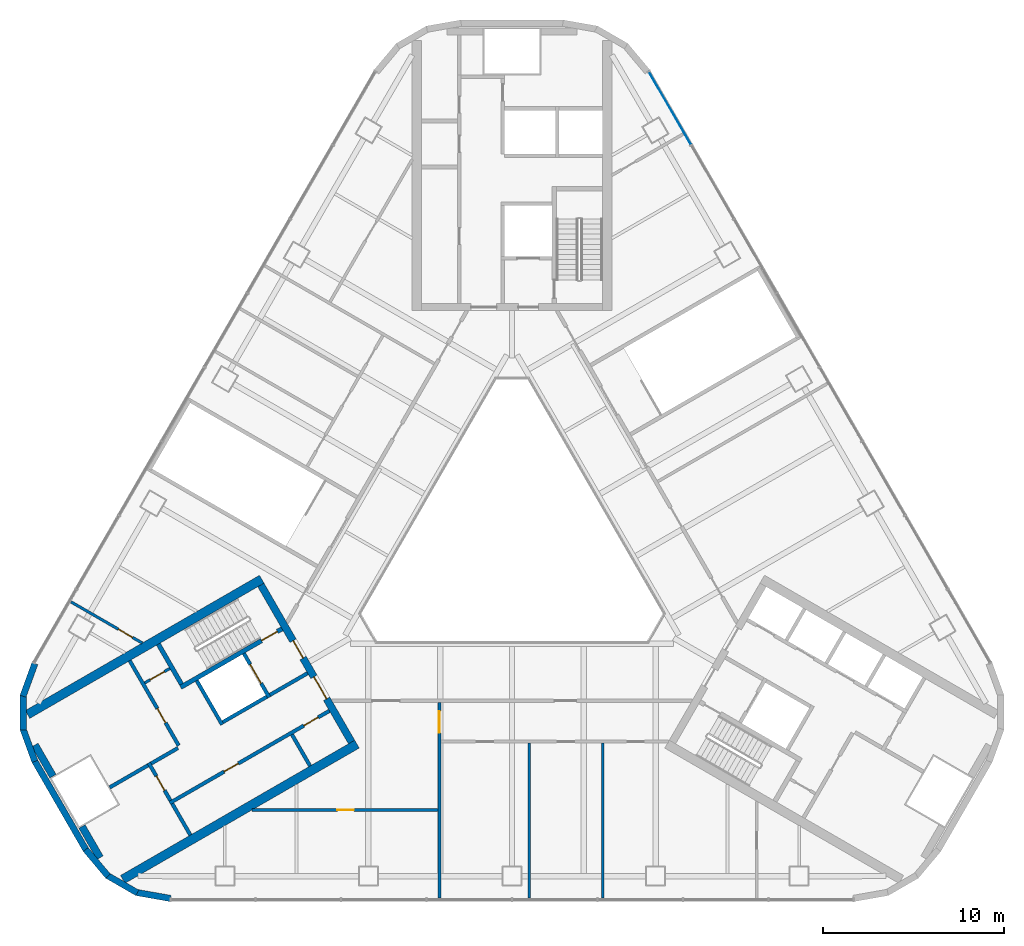
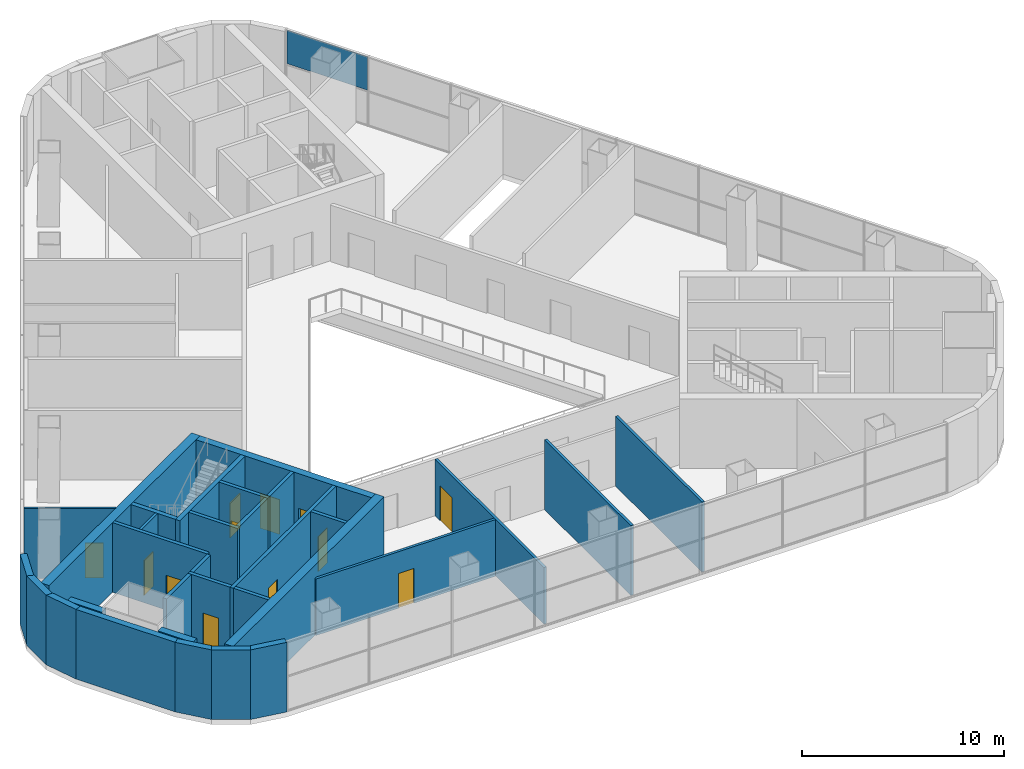
# One storey, part 7 of 12: 31 walls, 12 doors, 1 plate, 12 openings, 1 element without a shape of its own.
"""IFC4 building model written with IfcOpenShell, lengths in metres."""

from ifc_helpers import new_model, si_unit, direction, frame, frame_2d, origin, origin_2d, place, context, subcontext, project, spatial, rectangle, extrude, material, layer, layer_set, type_object, element, fill, aggregate, save


model = new_model("IFC4")

# Units and contexts
model_context = context("Model", 3, precision=1e-05, world=origin(), true_north=direction((0.0, 1.0)))
body_context = subcontext(model_context, "Body", "Model", "MODEL_VIEW")
ifc_project = project(units=[si_unit("LENGTHUNIT", "METRE"), si_unit("AREAUNIT", "SQUARE_METRE"), si_unit("VOLUMEUNIT", "CUBIC_METRE"), si_unit("PLANEANGLEUNIT", "RADIAN"), si_unit("MASSUNIT", "GRAM", prefix="KILO")], contexts=[model_context])

# Site, building, storey
site_placement = place(None, origin())
site = spatial("IfcSite", under=ifc_project, at=site_placement, CompositionType="ELEMENT")
building_placement = place(site_placement, origin())
building = spatial("IfcBuilding", under=site, at=building_placement, Name="Apuvela Tower Hotel", CompositionType="ELEMENT")
storey_placement = place(building_placement, frame((0.0, 0.0, 33.0)))
storey = spatial("IfcBuildingStorey", under=building, at=storey_placement, Name="L05", CompositionType="ELEMENT", Elevation=33.0)

# Curtain wall, plate
ifc_material_1 = material(Name="Aluminium 6063-T6, dark bronze anodised", Category="aluminium")
ifc_layer_1 = layer(ifc_material_1, 0.199951171875)
ifc_layer_set_1 = layer_set([ifc_layer_1], Name="ENV-CW-P")
curtain_wall_type = type_object("IfcCurtainWallType", Name="ENV-CW-P", PredefinedType="NOTDEFINED", material=ifc_layer_set_1)
curtain_wall_placement = place(storey_placement, origin())
curtain_wall = element("IfcCurtainWall", 1, at=curtain_wall_placement, inside=storey, type_object=curtain_wall_type, Name="Curtain wall CW-P NE L05", PredefinedType="NOTDEFINED")
ifc_material_2 = material(Name="Glass, dark tinted laminated insulated glazing unit", Category="glass")
ifc_layer_2 = layer(ifc_material_2, 0.0400390625)
ifc_layer_set_2 = layer_set([ifc_layer_2], Name="ENV-PANEL-IGU-40")
plate_type = type_object("IfcPlateType", Name="ENV-PANEL-IGU-40", PredefinedType="CURTAIN_PANEL", material=ifc_layer_set_2)
plate_placement = place(storey_placement, frame((8.710205078125, 24.065673828125, 2.132568359375), z_axis=(0.0, 0.0, 1.0), x_axis=(-0.499999750104, 0.866025548062, 0.0)))
plate = element("IfcPlate", 2, at=plate_placement, type_object=plate_type, Name="CW-P panel 8.2", PredefinedType="CURTAIN_PANEL", context=body_context, shape_type="SweptSolid", body=[
    extrude(rectangle(XDim=4.617431640625, YDim=0.0400390625, at=origin_2d()), origin(), (0.0, 0.0, 1.0), 2.00244140625),
])
aggregate(curtain_wall, [plate])

# Wall, openings, doors
ifc_material_3 = material(Name="Concrete C50/60", Category="concrete")
ifc_layer_3 = layer(ifc_material_3, 0.39990234375)
ifc_layer_set_3 = layer_set([ifc_layer_3], Name="COR-WALL-CORE-400")
wall_type_1 = type_object("IfcWallType", Name="COR-WALL-CORE-400", PredefinedType="SHEAR", material=ifc_layer_set_3)
wall_1_placement = place(storey_placement, frame((-13.844970703125, -2.219970703125, 0.0), z_axis=(0.0, 0.0, 1.0), x_axis=(0.500004234368, -0.866022959057, 0.0)))
wall_1 = element("IfcWall", 3, at=wall_1_placement, inside=storey, type_object=wall_type_1, Name="Core wall SW", PredefinedType="SHEAR", context=body_context, shape_type="SweptSolid", body=[
    extrude(rectangle(XDim=10.0, YDim=0.39990234375, at=frame_2d((5.0, 0.0))), origin(), (0.0, 0.0, 1.0), 4.199951171875),
])
opening_1_placement = place(wall_1_placement, frame((3.550048828125, 0.0, 0.0)))
opening_1 = element("IfcOpeningElement", 4, at=opening_1_placement, cuts=wall_1, Name="Opening W-FD", PredefinedType="OPENING", context=body_context, shape_type="SweptSolid", body=[
    extrude(rectangle(XDim=1.10009765625, YDim=2.10009765625, at=frame_2d((0.550048828125, 1.050048828125))), frame((0.0, 0.2099609375, 0.0), z_axis=(0.0, -1.0, 0.0), x_axis=(1.0, 0.0, 0.0)), (0.0, 0.0, 1.0), 0.419921875),
])
opening_2_placement = place(wall_1_placement, frame((5.85009765625, 0.0, 0.0)))
opening_2 = element("IfcOpeningElement", 5, at=opening_2_placement, cuts=wall_1, Name="Opening W-GD", PredefinedType="OPENING", context=body_context, shape_type="SweptSolid", body=[
    extrude(rectangle(XDim=1.39990234375, YDim=2.10009765625, at=frame_2d((0.699951171875, 1.050048828125))), frame((0.0, 0.2099609375, 0.0), z_axis=(0.0, -1.0, 0.0), x_axis=(1.0, 0.0, 0.0)), (0.0, 0.0, 1.0), 0.419921875),
])
ifc_material_4 = material(Name="Steel fire door, powder coated", Category="steel")
door_type_1 = type_object("IfcDoorType", Name="COR-FD-1100", OperationType="NOTDEFINED", PredefinedType="DOOR", material=ifc_material_4)
door_1_placement = place(opening_1_placement, frame((1.10009765625, 0.0, 0.0), z_axis=(0.0, 0.0, 1.0), x_axis=(-1.0, 0.0, 0.0)))
door_1 = element("IfcDoor", 6, at=door_1_placement, inside=storey, type_object=door_type_1, Name="Firefighting lobby door W-FD", OperationType="SINGLE_SWING_LEFT", OverallHeight=2.10009765625, OverallWidth=1.10009765625, PredefinedType="DOOR", context=body_context, shape_type="SweptSolid", body=[
    extrude(rectangle(XDim=1.10009765625, YDim=2.10009765625, at=frame_2d((0.550048828125, 1.050048828125))), frame((0.0, 0.02490234375, 0.0), z_axis=(0.0, -1.0, 0.0), x_axis=(1.0, 0.0, 0.0)), (0.0, 0.0, 1.0), 0.050048828125),
])
fill(opening_1, door_1)
ifc_material_5 = material(Name="Glazed steel fire door", Category="steel")
door_type_2 = type_object("IfcDoorType", Name="COR-GD-1400", OperationType="DOUBLE_DOOR_SINGLE_SWING", PredefinedType="DOOR", material=ifc_material_5)
door_2_placement = place(opening_2_placement, frame((1.39990234375, 0.0, 0.0), z_axis=(0.0, 0.0, 1.0), x_axis=(-1.0, 0.0, 0.0)))
door_2 = element("IfcDoor", 7, at=door_2_placement, inside=storey, type_object=door_type_2, Name="Lift lobby door W-GD", OperationType="DOUBLE_DOOR_SINGLE_SWING", OverallHeight=2.10009765625, OverallWidth=1.39990234375, PredefinedType="DOOR", context=body_context, shape_type="SweptSolid", body=[
    extrude(rectangle(XDim=1.39990234375, YDim=2.10009765625, at=frame_2d((0.699951171875, 1.050048828125))), frame((0.0, 0.02490234375, 0.0), z_axis=(0.0, -1.0, 0.0), x_axis=(1.0, 0.0, 0.0)), (0.0, 0.0, 1.0), 0.050048828125),
])
fill(opening_2, door_2)

# Walls
for number, where, z_axis, x_axis, name in (
    (8, (-23.70849609375, -15.53564453125, 0.0), (0.0, 0.0, 1.0), (0.499927872096, -0.866067042845, 0.0), "Core wall SW"),
    (9, (-26.302978515625, -11.041748046875, 0.0), (0.0, 0.0, 1.0), (0.499927872096, -0.866067042845, 0.0), "Core wall SW"),
):
    element("IfcWall", number, at=place(storey_placement, frame(where, z_axis=z_axis, x_axis=x_axis)), inside=storey, type_object=wall_type_1, Name=name, PredefinedType="SHEAR", context=body_context, shape_type="SweptSolid", body=[
        extrude(rectangle(XDim=1.989013671875, YDim=0.39990234375, at=frame_2d((0.99462890625, 0.0))), origin(), (0.0, 0.0, 1.0), 4.199951171875),
    ])
ifc_layer_4 = layer(ifc_material_3, 0.5)
ifc_layer_set_4 = layer_set([ifc_layer_4], Name="COR-WALL-CORE-500")
wall_type_2 = type_object("IfcWallType", Name="COR-WALL-CORE-500", PredefinedType="SHEAR", material=ifc_layer_set_4)
for number, where, z_axis, x_axis, name in (
    (10, (-13.796630859375, -1.9033203125, 0.0), (0.0, 0.0, 1.0), (-0.866025798973, -0.499999315512, 0.0), "Core wall SW"),
    (11, (-8.546630859375, -10.99658203125, 0.0), (0.0, 0.0, 1.0), (-0.866025798973, -0.499999315512, 0.0), "Core wall SW"),
):
    element("IfcWall", number, at=place(storey_placement, frame(where, z_axis=z_axis, x_axis=x_axis)), inside=storey, type_object=wall_type_2, Name=name, PredefinedType="SHEAR", context=body_context, shape_type="SweptSolid", body=[
        extrude(rectangle(XDim=14.91015625, YDim=0.5, at=frame_2d((7.455078125, 0.0))), origin(), (0.0, 0.0, 1.0), 4.199951171875),
    ])

# Wall, opening, door
ifc_material_6 = material(Name="Blockwork 150 mm plastered", Category="masonry")
ifc_layer_5 = layer(ifc_material_6, 0.14990234375)
ifc_layer_set_5 = layer_set([ifc_layer_5], Name="COR-WALL-PART-150")
wall_type_3 = type_object("IfcWallType", Name="COR-WALL-PART-150", PredefinedType="PARTITIONING", material=ifc_layer_set_5)
wall_2_placement = place(storey_placement, frame((-18.866455078125, -6.822265625, 0.0), z_axis=(0.0, 0.0, 1.0), x_axis=(-0.866028054938, -0.499995408039, 0.0)))
wall_2 = element("IfcWall", 12, at=wall_2_placement, inside=storey, type_object=wall_type_3, Name="Partition SW", PredefinedType="PARTITIONING", context=body_context, shape_type="SweptSolid", body=[
    extrude(rectangle(XDim=1.60009765625, YDim=0.14990234375, at=frame_2d((0.800048828125, 0.0))), origin(), (0.0, 0.0, 1.0), 4.199951171875),
])
opening_3_placement = place(wall_2_placement, frame((0.35009765625, 0.0, 0.0)))
opening_3 = element("IfcOpeningElement", 13, at=opening_3_placement, cuts=wall_2, Name="Opening W-RD", PredefinedType="OPENING", context=body_context, shape_type="SweptSolid", body=[
    extrude(rectangle(XDim=0.89990234375, YDim=2.10009765625, at=frame_2d((0.449951171875, 1.050048828125))), frame((0.0, 0.0849609375, 0.0), z_axis=(0.0, -1.0, 0.0), x_axis=(1.0, 0.0, 0.0)), (0.0, 0.0, 1.0), 0.169921875),
])
ifc_material_7 = material(Name="Steel access door, powder coated", Category="steel")
door_type_3 = type_object("IfcDoorType", Name="COR-RD-900", OperationType="NOTDEFINED", PredefinedType="DOOR", material=ifc_material_7)
door_3_placement = place(opening_3_placement, frame((0.89990234375, 0.0, 0.0), z_axis=(0.0, 0.0, 1.0), x_axis=(-1.0, 0.0, 0.0)))
door_3 = element("IfcDoor", 14, at=door_3_placement, inside=storey, type_object=door_type_3, Name="Riser door W-RD", OperationType="SINGLE_SWING_RIGHT", OverallHeight=2.10009765625, OverallWidth=0.89990234375, PredefinedType="DOOR", context=body_context, shape_type="SweptSolid", body=[
    extrude(rectangle(XDim=0.89990234375, YDim=2.10009765625, at=frame_2d((0.449951171875, 1.050048828125))), frame((0.0, 0.02490234375, 0.0), z_axis=(0.0, -1.0, 0.0), x_axis=(1.0, 0.0, 0.0)), (0.0, 0.0, 1.0), 0.050048828125),
])
fill(opening_3, door_3)

ifc_material_8 = material(Name="Blockwork 200 mm plastered", Category="masonry")
ifc_layer_6 = layer(ifc_material_8, 0.199951171875)
ifc_layer_set_6 = layer_set([ifc_layer_6], Name="COR-WALL-PART-200")
wall_type_4 = type_object("IfcWallType", Name="COR-WALL-PART-200", PredefinedType="PARTITIONING", material=ifc_layer_set_6)
wall_3_placement = place(storey_placement, frame((-21.076171875, -6.39501953125, 0.0), z_axis=(0.0, 0.0, 1.0), x_axis=(0.50001468107, -0.866016927499, 0.0)))
wall_3 = element("IfcWall", 15, at=wall_3_placement, inside=storey, type_object=wall_type_4, Name="Partition SW", PredefinedType="PARTITIONING", context=body_context, shape_type="SweptSolid", body=[
    extrude(rectangle(XDim=5.399658203125, YDim=0.199951171875, at=frame_2d((2.69970703125, 0.0))), origin(), (0.0, 0.0, 1.0), 4.199951171875),
])
opening_4_placement = place(wall_3_placement, frame((3.050048828125, 0.0, 0.0)))
opening_4 = element("IfcOpeningElement", 16, at=opening_4_placement, cuts=wall_3, Name="Opening W-RS1", PredefinedType="OPENING", context=body_context, shape_type="SweptSolid", body=[
    extrude(rectangle(XDim=0.89990234375, YDim=2.10009765625, at=frame_2d((0.449951171875, 1.050048828125))), frame((0.0, 0.10986328125, 0.0), z_axis=(0.0, -1.0, 0.0), x_axis=(1.0, 0.0, 0.0)), (0.0, 0.0, 1.0), 0.219970703125),
])
door_type_4 = type_object("IfcDoorType", Name="COR-DR-900", OperationType="NOTDEFINED", PredefinedType="DOOR", material=ifc_material_4)
door_4_placement = place(opening_4_placement, frame((0.89990234375, 0.0, 0.0), z_axis=(0.0, 0.0, 1.0), x_axis=(-1.0, 0.0, 0.0)))
door_4 = element("IfcDoor", 17, at=door_4_placement, inside=storey, type_object=door_type_4, Name="Store door W-RS1", OperationType="SINGLE_SWING_LEFT", OverallHeight=2.10009765625, OverallWidth=0.89990234375, PredefinedType="DOOR", context=body_context, shape_type="SweptSolid", body=[
    extrude(rectangle(XDim=0.89990234375, YDim=2.10009765625, at=frame_2d((0.449951171875, 1.050048828125))), frame((0.0, 0.02490234375, 0.0), z_axis=(0.0, -1.0, 0.0), x_axis=(1.0, 0.0, 0.0)), (0.0, 0.0, 1.0), 0.050048828125),
])
fill(opening_4, door_4)

# Wall
ifc_layer_7 = layer(ifc_material_3, 0.199951171875)
ifc_layer_set_7 = layer_set([ifc_layer_7], Name="COR-WALL-SHAFT-200")
wall_type_5 = type_object("IfcWallType", Name="COR-WALL-SHAFT-200", PredefinedType="SHEAR", material=ifc_layer_set_7)
wall_4_placement = place(storey_placement, frame((-17.38134765625, -7.49462890625, 0.0), z_axis=(0.0, 0.0, 1.0), x_axis=(0.500011755427, -0.866018616679, 0.0)))
element("IfcWall", 18, at=wall_4_placement, inside=storey, type_object=wall_type_5, Name="Shaft wall SW", PredefinedType="SHEAR", context=body_context, shape_type="SweptSolid", body=[
    extrude(rectangle(XDim=2.80029296875, YDim=0.199951171875, at=frame_2d((1.400146484375, 0.0))), origin(), (0.0, 0.0, 1.0), 4.199951171875),
])

# Wall, opening, door
wall_5_placement = place(storey_placement, frame((-14.783203125, -5.99462890625, 0.0), z_axis=(0.0, 0.0, 1.0), x_axis=(0.49994636267, -0.866056369097, 0.0)))
wall_5 = element("IfcWall", 19, at=wall_5_placement, inside=storey, type_object=wall_type_5, Name="Shaft wall SW", PredefinedType="SHEAR", context=body_context, shape_type="SweptSolid", body=[
    extrude(rectangle(XDim=2.800048828125, YDim=0.199951171875, at=frame_2d((1.39990234375, 0.0))), origin(), (0.0, 0.0, 1.0), 4.199951171875),
])
opening_5_placement = place(wall_5_placement, frame((0.699951171875, 0.0, 0.0)))
opening_5 = element("IfcOpeningElement", 20, at=opening_5_placement, cuts=wall_5, Name="Opening W-LD-FS2", PredefinedType="OPENING", context=body_context, shape_type="SweptSolid", body=[
    extrude(rectangle(XDim=1.199951171875, YDim=2.10009765625, at=frame_2d((0.60009765625, 1.050048828125))), frame((0.0, 0.10986328125, 0.0), z_axis=(0.0, -1.0, 0.0), x_axis=(1.0, 0.0, 0.0)), (0.0, 0.0, 1.0), 0.219970703125),
])
ifc_material_9 = material(Name="Stainless steel lift landing door", Category="steel")
door_type_5 = type_object("IfcDoorType", Name="COR-LD-1200", OperationType="DOUBLE_DOOR_SLIDING", PredefinedType="DOOR", material=ifc_material_9)
door_5_placement = place(opening_5_placement, origin())
door_5 = element("IfcDoor", 21, at=door_5_placement, inside=storey, type_object=door_type_5, Name="Lift landing door W-LD-FS2", OperationType="DOUBLE_DOOR_SLIDING", OverallHeight=2.10009765625, OverallWidth=1.199951171875, PredefinedType="DOOR", context=body_context, shape_type="SweptSolid", body=[
    extrude(rectangle(XDim=1.199951171875, YDim=2.10009765625, at=frame_2d((0.60009765625, 1.050048828125))), frame((0.0, 0.02490234375, 0.0), z_axis=(0.0, -1.0, 0.0), x_axis=(1.0, 0.0, 0.0)), (0.0, 0.0, 1.0), 0.050048828125),
])
fill(opening_5, door_5)

# Walls
wall_6_placement = place(storey_placement, frame((-13.519775390625, -8.383056640625, 0.0), z_axis=(0.0, 0.0, 1.0), x_axis=(-0.866034573852, -0.49998411664, 0.0)))
element("IfcWall", 22, at=wall_6_placement, inside=storey, type_object=wall_type_5, Name="Shaft wall SW", PredefinedType="SHEAR", context=body_context, shape_type="SweptSolid", body=[
    extrude(rectangle(XDim=2.7998046875, YDim=0.199951171875, at=frame_2d((1.39990234375, 0.0))), origin(), (0.0, 0.0, 1.0), 4.199951171875),
])
wall_7_placement = place(storey_placement, frame((-11.26806640625, -7.0830078125, 0.0), z_axis=(0.0, 0.0, 1.0), x_axis=(-0.866050077142, -0.499957262057, 0.0)))
element("IfcWall", 23, at=wall_7_placement, inside=storey, type_object=wall_type_5, Name="Shaft wall SW", PredefinedType="SHEAR", context=body_context, shape_type="SweptSolid", body=[
    extrude(rectangle(XDim=2.400146484375, YDim=0.199951171875, at=frame_2d((1.2001953125, 0.0))), origin(), (0.0, 0.0, 1.0), 4.199951171875),
])

# Wall, openings, doors
wall_8_placement = place(storey_placement, frame((-10.068115234375, -9.16162109375, 0.0), z_axis=(0.0, 0.0, 1.0), x_axis=(-0.866032725843, -0.499987317609, 0.0)))
wall_8 = element("IfcWall", 24, at=wall_8_placement, inside=storey, type_object=wall_type_5, Name="Shaft wall SW", PredefinedType="SHEAR", context=body_context, shape_type="SweptSolid", body=[
    extrude(rectangle(XDim=10.159912109375, YDim=0.199951171875, at=frame_2d((5.080078125, 0.0))), origin(), (0.0, 0.0, 1.0), 4.199951171875),
])
opening_6_placement = place(wall_8_placement, frame((0.719970703125, 0.0, 0.0)))
opening_6 = element("IfcOpeningElement", 25, at=opening_6_placement, cuts=wall_8, Name="Opening W-RE1", PredefinedType="OPENING", context=body_context, shape_type="SweptSolid", body=[
    extrude(rectangle(XDim=0.89990234375, YDim=2.10009765625, at=frame_2d((0.449951171875, 1.050048828125))), frame((0.0, 0.10986328125, 0.0), z_axis=(0.0, -1.0, 0.0), x_axis=(1.0, 0.0, 0.0)), (0.0, 0.0, 1.0), 0.219970703125),
])
opening_7_placement = place(wall_8_placement, frame((5.800048828125, 0.0, 0.0)))
opening_7 = element("IfcOpeningElement", 26, at=opening_7_placement, cuts=wall_8, Name="Opening W-RE2", PredefinedType="OPENING", context=body_context, shape_type="SweptSolid", body=[
    extrude(rectangle(XDim=0.89990234375, YDim=2.10009765625, at=frame_2d((0.449951171875, 1.050048828125))), frame((0.0, 0.10986328125, 0.0), z_axis=(0.0, -1.0, 0.0), x_axis=(1.0, 0.0, 0.0)), (0.0, 0.0, 1.0), 0.219970703125),
])
door_6_placement = place(opening_6_placement, origin())
door_6 = element("IfcDoor", 27, at=door_6_placement, inside=storey, type_object=door_type_4, Name="Store door W-RE1", OperationType="SINGLE_SWING_LEFT", OverallHeight=2.10009765625, OverallWidth=0.89990234375, PredefinedType="DOOR", context=body_context, shape_type="SweptSolid", body=[
    extrude(rectangle(XDim=0.89990234375, YDim=2.10009765625, at=frame_2d((0.449951171875, 1.050048828125))), frame((0.0, 0.02490234375, 0.0), z_axis=(0.0, -1.0, 0.0), x_axis=(1.0, 0.0, 0.0)), (0.0, 0.0, 1.0), 0.050048828125),
])
fill(opening_6, door_6)
door_7_placement = place(opening_7_placement, origin())
door_7 = element("IfcDoor", 28, at=door_7_placement, inside=storey, type_object=door_type_4, Name="Store door W-RE2", OperationType="SINGLE_SWING_RIGHT", OverallHeight=2.10009765625, OverallWidth=0.89990234375, PredefinedType="DOOR", context=body_context, shape_type="SweptSolid", body=[
    extrude(rectangle(XDim=0.89990234375, YDim=2.10009765625, at=frame_2d((0.449951171875, 1.050048828125))), frame((0.0, 0.02490234375, 0.0), z_axis=(0.0, -1.0, 0.0), x_axis=(1.0, 0.0, 0.0)), (0.0, 0.0, 1.0), 0.050048828125),
])
fill(opening_7, door_7)

# Wall, opening, door
wall_9_placement = place(storey_placement, frame((-20.030517578125, -12.0263671875, 0.0), z_axis=(0.0, 0.0, 1.0), x_axis=(0.500033551112, -0.866006032174, 0.0)))
wall_9 = element("IfcWall", 29, at=wall_9_placement, inside=storey, type_object=wall_type_5, Name="Shaft wall SW", PredefinedType="SHEAR", context=body_context, shape_type="SweptSolid", body=[
    extrude(rectangle(XDim=2.400146484375, YDim=0.199951171875, at=frame_2d((1.2001953125, 0.0))), origin(), (0.0, 0.0, 1.0), 4.199951171875),
])
opening_8_placement = place(wall_9_placement, frame((0.85009765625, 0.0, 0.0)))
opening_8 = element("IfcOpeningElement", 30, at=opening_8_placement, cuts=wall_9, Name="Opening W-REP", PredefinedType="OPENING", context=body_context, shape_type="SweptSolid", body=[
    extrude(rectangle(XDim=0.89990234375, YDim=2.10009765625, at=frame_2d((0.449951171875, 1.050048828125))), frame((0.0, 0.10986328125, 0.0), z_axis=(0.0, -1.0, 0.0), x_axis=(1.0, 0.0, 0.0)), (0.0, 0.0, 1.0), 0.219970703125),
])
door_8_placement = place(opening_8_placement, frame((0.89990234375, 0.0, 0.0), z_axis=(0.0, 0.0, 1.0), x_axis=(-1.0, 0.0, 0.0)))
door_8 = element("IfcDoor", 31, at=door_8_placement, inside=storey, type_object=door_type_4, Name="Store door W-REP", OperationType="SINGLE_SWING_LEFT", OverallHeight=2.10009765625, OverallWidth=0.89990234375, PredefinedType="DOOR", context=body_context, shape_type="SweptSolid", body=[
    extrude(rectangle(XDim=0.89990234375, YDim=2.10009765625, at=frame_2d((0.449951171875, 1.050048828125))), frame((0.0, 0.02490234375, 0.0), z_axis=(0.0, -1.0, 0.0), x_axis=(1.0, 0.0, 0.0)), (0.0, 0.0, 1.0), 0.050048828125),
])
fill(opening_8, door_8)

# Walls
wall_10_placement = place(storey_placement, frame((-18.412841796875, -11.2080078125, 0.0), z_axis=(0.0, 0.0, 1.0), x_axis=(-0.866038183914, -0.499977863513, 0.0)))
element("IfcWall", 32, at=wall_10_placement, inside=storey, type_object=wall_type_5, Name="Shaft wall SW", PredefinedType="SHEAR", context=body_context, shape_type="SweptSolid", body=[
    extrude(rectangle(XDim=1.7099609375, YDim=0.199951171875, at=frame_2d((0.85498046875, 0.0))), origin(), (0.0, 0.0, 1.0), 4.199951171875),
])
for number, where, z_axis, x_axis, name in (
    (33, (-12.131103515625, -10.468017578125, 0.0), (0.0, 0.0, 1.0), (0.499972520799, -0.866041268327, 0.0), "Shaft wall SW"),
    (34, (-18.73046875, -14.278076171875, 0.0), (0.0, 0.0, 1.0), (0.50002537861, -0.866010750942, 0.0), "Shaft wall SW"),
):
    element("IfcWall", number, at=place(storey_placement, frame(where, z_axis=z_axis, x_axis=x_axis)), inside=storey, type_object=wall_type_5, Name=name, PredefinedType="SHEAR", context=body_context, shape_type="SweptSolid", body=[
        extrude(rectangle(XDim=2.0, YDim=0.199951171875, at=frame_2d((1.0, 0.0))), origin(), (0.0, 0.0, 1.0), 4.199951171875),
    ])
wall_11_placement = place(storey_placement, frame((-20.06689453125, -12.1630859375, 0.0), z_axis=(0.0, 0.0, 1.0), x_axis=(-0.866048967903, -0.499959183527, 0.0)))
element("IfcWall", 35, at=wall_11_placement, inside=storey, type_object=wall_type_5, Name="Shaft wall SW", PredefinedType="SHEAR", context=body_context, shape_type="SweptSolid", body=[
    extrude(rectangle(XDim=2.440185546875, YDim=0.199951171875, at=frame_2d((1.22021484375, 0.0))), origin(), (0.0, 0.0, 1.0), 4.199951171875),
])

# Wall, opening, door
ifc_layer_8 = layer(ifc_material_3, 0.25)
ifc_layer_set_8 = layer_set([ifc_layer_8], Name="COR-WALL-STAIR-250")
wall_type_6 = type_object("IfcWallType", Name="COR-WALL-STAIR-250", PredefinedType="SHEAR", material=ifc_layer_set_8)
wall_12_placement = place(storey_placement, frame((-12.6806640625, -4.636474609375, 0.0), z_axis=(0.0, 0.0, 1.0), x_axis=(-0.866021702275, -0.500006411147, 0.0)))
wall_12 = element("IfcWall", 36, at=wall_12_placement, inside=storey, type_object=wall_type_6, Name="Stair wall SW", PredefinedType="SHEAR", context=body_context, shape_type="SweptSolid", body=[
    extrude(rectangle(XDim=6.4501953125, YDim=0.25, at=frame_2d((3.22509765625, 0.0))), origin(), (0.0, 0.0, 1.0), 4.199951171875),
])
opening_9_placement = place(wall_12_placement, frame((0.300048828125, 0.0, 0.0)))
opening_9 = element("IfcOpeningElement", 37, at=opening_9_placement, cuts=wall_12, Name="Opening W-SD", PredefinedType="OPENING", context=body_context, shape_type="SweptSolid", body=[
    extrude(rectangle(XDim=1.0, YDim=2.10009765625, at=frame_2d((0.5, 1.050048828125))), frame((0.0, 0.135009765625, 0.0), z_axis=(0.0, -1.0, 0.0), x_axis=(1.0, 0.0, 0.0)), (0.0, 0.0, 1.0), 0.27001953125),
])
door_type_6 = type_object("IfcDoorType", Name="COR-SD-1000", OperationType="NOTDEFINED", PredefinedType="DOOR", material=ifc_material_4)
door_9_placement = place(opening_9_placement, frame((1.0, 0.0, 0.0), z_axis=(0.0, 0.0, 1.0), x_axis=(-1.0, 0.0, 0.0)))
door_9 = element("IfcDoor", 38, at=door_9_placement, inside=storey, type_object=door_type_6, Name="Stair door W-SD", OperationType="SINGLE_SWING_LEFT", OverallHeight=2.10009765625, OverallWidth=1.0, PredefinedType="DOOR", context=body_context, shape_type="SweptSolid", body=[
    extrude(rectangle(XDim=1.0, YDim=2.10009765625, at=frame_2d((0.5, 1.050048828125))), frame((0.0, 0.02490234375, 0.0), z_axis=(0.0, -1.0, 0.0), x_axis=(1.0, 0.0, 0.0)), (0.0, 0.0, 1.0), 0.050048828125),
])
fill(opening_9, door_9)

# Walls
wall_13_placement = place(storey_placement, frame((-19.49560546875, -5.482421875, 0.0), z_axis=(0.0, 0.0, 1.0), x_axis=(0.499990435942, -0.866030925526, 0.0)))
element("IfcWall", 39, at=wall_13_placement, inside=storey, type_object=wall_type_6, Name="Stair wall SW", PredefinedType="SHEAR", context=body_context, shape_type="SweptSolid", body=[
    extrude(rectangle(XDim=2.5498046875, YDim=0.25, at=frame_2d((1.27490234375, 0.0))), origin(), (0.0, 0.0, 1.0), 4.199951171875),
])
ifc_material_10 = material(Name="Concrete C40/50, dark pigmented precast panel", Category="concrete")
ifc_layer_9 = layer(ifc_material_10, 0.35009765625)
ifc_layer_set_9 = layer_set([ifc_layer_9], Name="ENV-WALL-350")
wall_type_7 = type_object("IfcWallType", Name="ENV-WALL-350", PredefinedType="SOLIDWALL", material=ifc_layer_set_9)
for number, where, z_axis, x_axis, name in (
    (40, (-26.305419921875, -6.55517578125, 0.0), (0.0, 0.0, 1.0), (-0.342121856274, -0.939655594066, 0.0), "External wall L05-08"),
    (41, (-26.94970703125, -8.29443359375, 0.0), (0.0, 0.0, 1.0), (0.0, -1.0, 0.0), "External wall L05-09"),
    (42, (-26.96044921875, -10.149169921875, 0.0), (0.0, 0.0, 1.0), (0.342121856274, -0.939655594066, 0.0), "External wall L05-10"),
):
    element("IfcWall", number, at=place(storey_placement, frame(where, z_axis=z_axis, x_axis=x_axis)), inside=storey, type_object=wall_type_7, Name=name, PredefinedType="SOLIDWALL", context=body_context, shape_type="SweptSolid", body=[
        extrude(rectangle(XDim=1.91455078125, YDim=0.35009765625, at=frame_2d((0.957275390625, 0.0))), origin(), (0.0, 0.0, 1.0), 4.199951171875),
    ])
wall_14_placement = place(storey_placement, frame((-26.318359375, -11.920654296875, 0.0), z_axis=(0.0, 0.0, 1.0), x_axis=(0.499982068559, -0.866035756259, 0.0)))
element("IfcWall", 43, at=wall_14_placement, inside=storey, type_object=wall_type_7, Name="External wall L05-11", PredefinedType="SOLIDWALL", context=body_context, shape_type="SweptSolid", body=[
    extrude(rectangle(XDim=5.671142578125, YDim=0.35009765625, at=frame_2d((2.83544921875, 0.0))), origin(), (0.0, 0.0, 1.0), 4.199951171875),
])
wall_15_placement = place(storey_placement, frame((-23.500244140625, -16.80712890625, 0.0), z_axis=(0.0, 0.0, 1.0), x_axis=(0.64282715853, -0.766011255959, 0.0)))
element("IfcWall", 44, at=wall_15_placement, inside=storey, type_object=wall_type_7, Name="External wall L05-12", PredefinedType="SOLIDWALL", context=body_context, shape_type="SweptSolid", body=[
    extrude(rectangle(XDim=1.91455078125, YDim=0.35009765625, at=frame_2d((0.957275390625, 0.0))), origin(), (0.0, 0.0, 1.0), 4.199951171875),
])
wall_16_placement = place(storey_placement, frame((-22.316162109375, -18.234619140625, 0.0), z_axis=(0.0, 0.0, 1.0), x_axis=(0.865990234582, -0.500060909899, 0.0)))
element("IfcWall", 45, at=wall_16_placement, inside=storey, type_object=wall_type_7, Name="External wall L05-13", PredefinedType="SOLIDWALL", context=body_context, shape_type="SweptSolid", body=[
    extrude(rectangle(XDim=1.914794921875, YDim=0.35009765625, at=frame_2d((0.95751953125, 0.0))), origin(), (0.0, 0.0, 1.0), 4.199951171875),
])
wall_17_placement = place(storey_placement, frame((-20.715087890625, -19.17138671875, 0.0), z_axis=(0.0, 0.0, 1.0), x_axis=(0.984824611058, -0.173552543785, 0.0)))
element("IfcWall", 46, at=wall_17_placement, inside=storey, type_object=wall_type_7, Name="External wall L05-14", PredefinedType="SOLIDWALL", context=body_context, shape_type="SweptSolid", body=[
    extrude(rectangle(XDim=1.91455078125, YDim=0.35009765625, at=frame_2d((0.957275390625, 0.0))), origin(), (0.0, 0.0, 1.0), 4.199951171875),
])

# Wall, opening, door
ifc_material_11 = material(Name="Gypsum board partition on steel stud", Category="steel")
ifc_layer_10 = layer(ifc_material_11, 0.14990234375)
ifc_layer_set_10 = layer_set([ifc_layer_10], Name="SPC-WALL-PARTITION")
wall_type_8 = type_object("IfcWallType", Name="SPC-WALL-PARTITION", PredefinedType="PARTITIONING", material=ifc_layer_set_10)
wall_18_placement = place(storey_placement, frame((-14.334716796875, -14.626708984375, 0.0), z_axis=(0.0, 0.0, 1.0), x_axis=(1.0, 0.0, 0.0)))
wall_18 = element("IfcWall", 47, at=wall_18_placement, inside=storey, type_object=wall_type_8, Name="Wall L05-S-P01", PredefinedType="PARTITIONING", context=body_context, shape_type="SweptSolid", body=[
    extrude(rectangle(XDim=10.259765625, YDim=0.14990234375, at=frame_2d((5.1298828125, 0.0))), origin(), (0.0, 0.0, 1.0), 3.409912109375),
])
opening_10_placement = place(wall_18_placement, frame((4.7119140625, 0.0, 0.0)))
opening_10 = element("IfcOpeningElement", 48, at=opening_10_placement, cuts=wall_18, Name="Opening L05-S15", PredefinedType="OPENING", context=body_context, shape_type="SweptSolid", body=[
    extrude(rectangle(XDim=0.89990234375, YDim=2.10009765625, at=frame_2d((0.449951171875, 1.050048828125))), frame((0.0, 0.0849609375, 0.0), z_axis=(0.0, -1.0, 0.0), x_axis=(1.0, 0.0, 0.0)), (0.0, 0.0, 1.0), 0.169921875),
])
ifc_material_12 = material(Name="Hardwood veneer door leaf", Category="wood")
door_type_7 = type_object("IfcDoorType", Name="SPC-DOOR-900", OperationType="NOTDEFINED", PredefinedType="DOOR", material=ifc_material_12)
door_10_placement = place(opening_10_placement, origin())
door_10 = element("IfcDoor", 49, at=door_10_placement, inside=storey, type_object=door_type_7, Name="L05-S15", OperationType="SINGLE_SWING_LEFT", OverallHeight=2.10009765625, OverallWidth=0.89990234375, PredefinedType="DOOR", context=body_context, shape_type="SweptSolid", body=[
    extrude(rectangle(XDim=0.89990234375, YDim=2.10009765625, at=frame_2d((0.449951171875, 1.050048828125))), frame((0.0, 0.02490234375, 0.0), z_axis=(0.0, -1.0, 0.0), x_axis=(1.0, 0.0, 0.0)), (0.0, 0.0, 1.0), 0.050048828125),
])
fill(opening_10, door_10)

wall_19_placement = place(storey_placement, frame((-4.0, -19.47607421875, 0.0), z_axis=(0.0, 0.0, 1.0), x_axis=(0.0, 1.0, 0.0)))
wall_19 = element("IfcWall", 50, at=wall_19_placement, inside=storey, type_object=wall_type_8, Name="Wall L05-S-P03", PredefinedType="PARTITIONING", context=body_context, shape_type="SweptSolid", body=[
    extrude(rectangle(XDim=10.776123046875, YDim=0.14990234375, at=frame_2d((5.38818359375, 0.0))), origin(), (0.0, 0.0, 1.0), 3.409912109375),
])
opening_11_placement = place(wall_19_placement, frame((9.10302734375, 0.0, 0.0)))
opening_11 = element("IfcOpeningElement", 51, at=opening_11_placement, cuts=wall_19, Name="Opening L05-S09", PredefinedType="OPENING", context=body_context, shape_type="SweptSolid", body=[
    extrude(rectangle(XDim=1.199951171875, YDim=2.10009765625, at=frame_2d((0.60009765625, 1.050048828125))), frame((0.0, 0.0849609375, 0.0), z_axis=(0.0, -1.0, 0.0), x_axis=(1.0, 0.0, 0.0)), (0.0, 0.0, 1.0), 0.169921875),
])
door_type_8 = type_object("IfcDoorType", Name="SPC-DOOR-1200", OperationType="NOTDEFINED", PredefinedType="DOOR", material=ifc_material_12)
door_11_placement = place(opening_11_placement, frame((1.199951171875, 0.0, 0.0), z_axis=(0.0, 0.0, 1.0), x_axis=(-1.0, 0.0, 0.0)))
door_11 = element("IfcDoor", 52, at=door_11_placement, inside=storey, type_object=door_type_8, Name="L05-S09", OperationType="SINGLE_SWING_LEFT", OverallHeight=2.10009765625, OverallWidth=1.199951171875, PredefinedType="DOOR", context=body_context, shape_type="SweptSolid", body=[
    extrude(rectangle(XDim=1.199951171875, YDim=2.10009765625, at=frame_2d((0.60009765625, 1.050048828125))), frame((0.0, 0.02490234375, 0.0), z_axis=(0.0, -1.0, 0.0), x_axis=(1.0, 0.0, 0.0)), (0.0, 0.0, 1.0), 0.050048828125),
])
fill(opening_11, door_11)

# Walls
for number, where, z_axis, x_axis, name in (
    (53, (0.949951171875, -19.47607421875, 0.0), (0.0, 0.0, 1.0), (0.0, 1.0, 0.0), "Wall L05-S-P04"),
    (54, (5.0, -19.47607421875, 0.0), (0.0, 0.0, 1.0), (0.0, 1.0, 0.0), "Wall L05-S-P05"),
):
    element("IfcWall", number, at=place(storey_placement, frame(where, z_axis=z_axis, x_axis=x_axis)), inside=storey, type_object=wall_type_8, Name=name, PredefinedType="PARTITIONING", context=body_context, shape_type="SweptSolid", body=[
        extrude(rectangle(XDim=8.5458984375, YDim=0.14990234375, at=frame_2d((4.27294921875, 0.0))), origin(), (0.0, 0.0, 1.0), 4.199951171875),
    ])

# Wall, opening, door
wall_20_placement = place(storey_placement, frame((-24.310302734375, -3.154541015625, 0.0), z_axis=(0.0, 0.0, 1.0), x_axis=(0.866025843094, -0.499999239093, 0.0)))
wall_20 = element("IfcWall", 55, at=wall_20_placement, inside=storey, type_object=wall_type_8, Name="Wall L05-NW-P08", PredefinedType="PARTITIONING", context=body_context, shape_type="SweptSolid", body=[
    extrude(rectangle(XDim=4.5302734375, YDim=0.14990234375, at=frame_2d((2.26513671875, 0.0))), origin(), (0.0, 0.0, 1.0), 4.199951171875),
])
opening_12_placement = place(wall_20_placement, frame((3.01513671875, 0.0, 0.0)))
opening_12 = element("IfcOpeningElement", 56, at=opening_12_placement, cuts=wall_20, Name="Opening L05-S20", PredefinedType="OPENING", context=body_context, shape_type="SweptSolid", body=[
    extrude(rectangle(XDim=0.89990234375, YDim=2.10009765625, at=frame_2d((0.449951171875, 1.050048828125))), frame((0.0, 0.0849609375, 0.0), z_axis=(0.0, -1.0, 0.0), x_axis=(1.0, 0.0, 0.0)), (0.0, 0.0, 1.0), 0.169921875),
])
door_12_placement = place(opening_12_placement, frame((0.89990234375, 0.0, 0.0), z_axis=(0.0, 0.0, 1.0), x_axis=(-1.0, 0.0, 0.0)))
door_12 = element("IfcDoor", 57, at=door_12_placement, inside=storey, type_object=door_type_7, Name="L05-S20", OperationType="SINGLE_SWING_RIGHT", OverallHeight=2.10009765625, OverallWidth=0.89990234375, PredefinedType="DOOR", context=body_context, shape_type="SweptSolid", body=[
    extrude(rectangle(XDim=0.89990234375, YDim=2.10009765625, at=frame_2d((0.449951171875, 1.050048828125))), frame((0.0, 0.02490234375, 0.0), z_axis=(0.0, -1.0, 0.0), x_axis=(1.0, 0.0, 0.0)), (0.0, 0.0, 1.0), 0.050048828125),
])
fill(opening_12, door_12)

save(model, "model.ifc")
